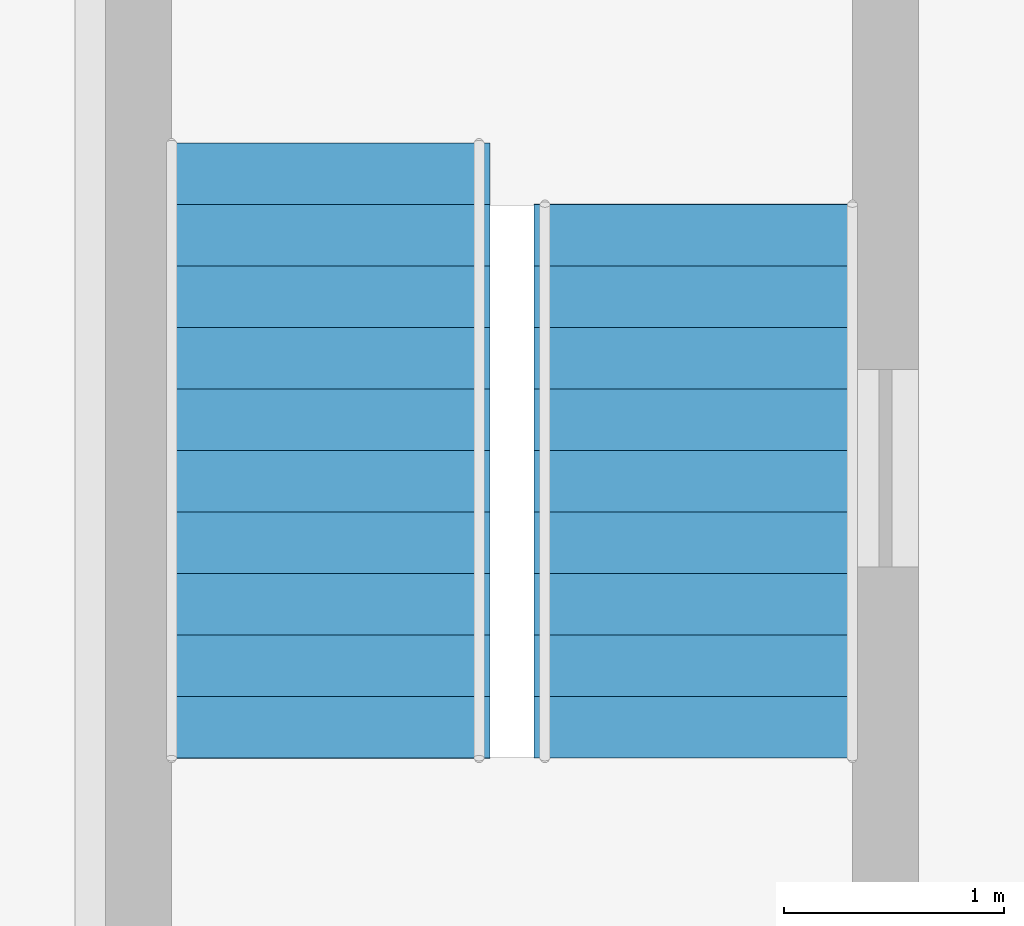
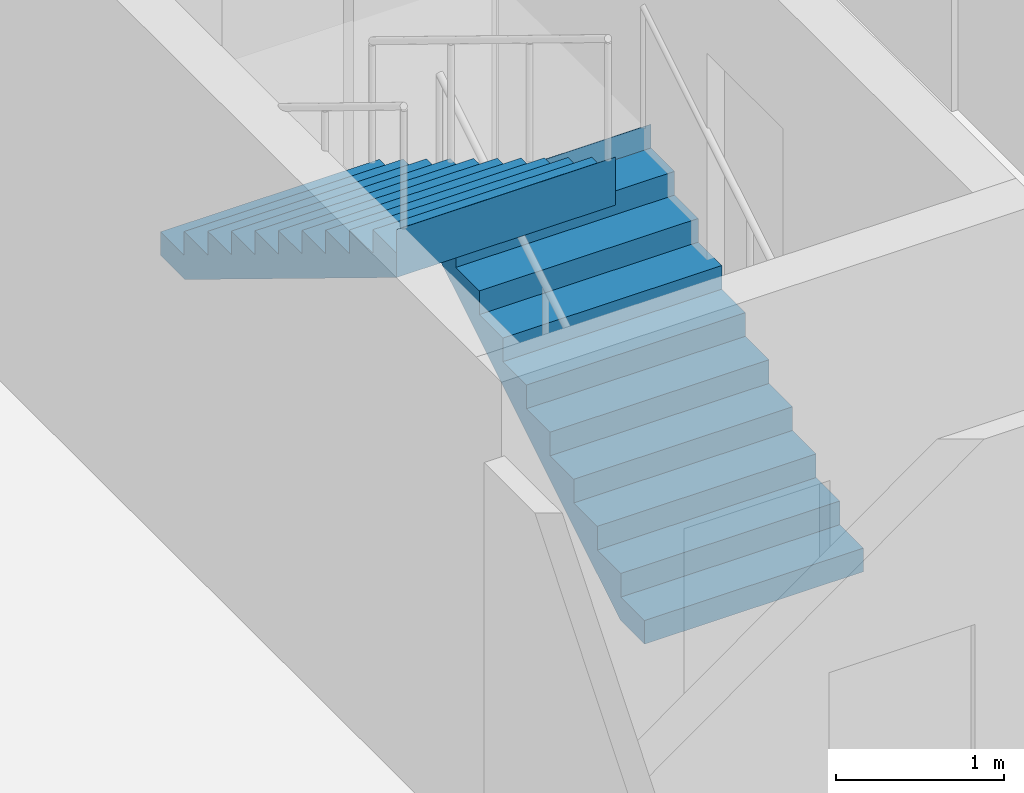
# One storey, part 108 of 142: 2 stair flights, 1 element without a shape of its own.
"""IFC4 building model written with IfcOpenShell, lengths in metres."""

import ifcopenshell
import ifcopenshell.guid

model = None  # the IFC model being written
_history = None  # IfcOwnerHistory: only IFC2X3 demands one
_inside = {}  # id of a spatial element -> (the spatial element, [elements in it])
_under = {}  # id of a project, library or spatial element -> (it, [spatial elements below it])
_declared = {}  # id of a project -> (the project, [libraries it declares])
_typed = {}  # id of a type object -> (the type object, [elements of that type])
_made_of = {}  # id of a material, layer set ... -> (it, [elements and type objects made of it])


def new_model(schema):
    """Start an empty IFC model of exactly this schema.

    Asked for "IFC4X3", IfcOpenShell would pick the latest addendum, in which some entities
    have other attributes; the version numbers below select the first issue.
    IFC2X3 requires an IfcOwnerHistory on every rooted entity: one is made here for all.
    """
    global model, _history
    if schema == "IFC4X3":
        model = ifcopenshell.file(schema_version=(4, 3, 0, 0))
    else:
        model = ifcopenshell.file(schema=schema)
    _inside.clear()
    _under.clear()
    _declared.clear()
    _typed.clear()
    _made_of.clear()
    _history = None
    if model.schema == "IFC2X3":
        org = make("IfcOrganization", Name="unknown")
        user = make(
            "IfcPersonAndOrganization",
            ThePerson=make("IfcPerson", FamilyName="unknown"),
            TheOrganization=org,
        )
        app = make(
            "IfcApplication",
            ApplicationDeveloper=org,
            Version="unknown",
            ApplicationFullName="unknown",
            ApplicationIdentifier="unknown",
        )
        _history = make(
            "IfcOwnerHistory",
            OwningUser=user,
            OwningApplication=app,
            ChangeAction="ADDED",
            CreationDate=0,
        )
    return model


def make(cls, **values):
    """One entity of the class cls with the attributes given. An attribute that is None is left unset."""
    return model.create_entity(
        cls, **{name: value for name, value in values.items() if value is not None}
    )


def rooted(cls, **values):
    """An entity with a GlobalId (a new one), such as an element, a storey or a relation."""
    return make(cls, GlobalId=ifcopenshell.guid.new(), OwnerHistory=_history, **values)


def si_unit(unit_type, name, prefix=None):
    """IfcSIUnit, for example si_unit("LENGTHUNIT", "METRE", prefix="MILLI")."""
    return make("IfcSIUnit", UnitType=unit_type, Prefix=prefix, Name=name)


def assignment(units):
    """IfcUnitAssignment: the units of a project."""
    return None if units is None else make("IfcUnitAssignment", Units=units)


def point(xyz):
    """IfcCartesianPoint."""
    return None if xyz is None else make("IfcCartesianPoint", Coordinates=xyz)


def direction(xyz):
    """IfcDirection."""
    return None if xyz is None else make("IfcDirection", DirectionRatios=xyz)


def frame(location, z_axis=None, x_axis=None):
    """IfcAxis2Placement3D, a coordinate frame: its origin and axes. An axis left out is left unset."""
    return make(
        "IfcAxis2Placement3D",
        Location=point(location),
        Axis=direction(z_axis),
        RefDirection=direction(x_axis),
    )


def origin():
    """The frame at (0, 0, 0) with its axes left unset."""
    return frame((0.0, 0.0, 0.0))


def place(relative_to, where):
    """IfcLocalPlacement: puts the frame where relative to a parent placement (None: the world)."""
    return make(
        "IfcLocalPlacement", PlacementRelTo=relative_to, RelativePlacement=where
    )


def context(
    kind, dimensions, precision=None, world=None, true_north=None, identifier=None
):
    """IfcGeometricRepresentationContext, for example the 3D "Model" context."""
    return make(
        "IfcGeometricRepresentationContext",
        ContextIdentifier=identifier,
        ContextType=kind,
        CoordinateSpaceDimension=dimensions,
        Precision=precision,
        WorldCoordinateSystem=world,
        TrueNorth=true_north,
    )


def subcontext(parent, identifier, kind, view, scale=None):
    """IfcGeometricRepresentationSubContext, for example "Body" below "Model"."""
    return make(
        "IfcGeometricRepresentationSubContext",
        ContextIdentifier=identifier,
        ContextType=kind,
        ParentContext=parent,
        TargetScale=scale,
        TargetView=view,
    )


def project(units=None, contexts=None):
    """IfcProject with its units and contexts."""
    return rooted(
        "IfcProject",
        Name="project",
        RepresentationContexts=contexts,
        UnitsInContext=assignment(units),
    )


def spatial(cls, under=None, at=None, **own):
    """A site, building, storey or space (cls), placed at a placement, below another one or the project."""
    s = rooted(cls, ObjectPlacement=at, **own)
    if under is not None:
        _under.setdefault(under.id(), (under, []))[1].append(s)
    return s


def polyline(points):
    """IfcPolyline through the points."""
    return make("IfcPolyline", Points=[point(p) for p in points])


def outline(outer, holes=None, kind="AREA"):
    """IfcArbitraryClosedProfileDef: a profile drawn as a closed curve; with holes, ...WithVoids."""
    if holes is None:
        return make("IfcArbitraryClosedProfileDef", ProfileType=kind, OuterCurve=outer)
    return make(
        "IfcArbitraryProfileDefWithVoids",
        ProfileType=kind,
        OuterCurve=outer,
        InnerCurves=holes,
    )


def extrude(swept, where, along, depth):
    """IfcExtrudedAreaSolid: the profile swept, set in the frame where, extruded along a direction by depth."""
    return make(
        "IfcExtrudedAreaSolid",
        SweptArea=swept,
        Position=where,
        ExtrudedDirection=direction(along),
        Depth=depth,
    )


def shape(context_of_items, identifier, shape_type, items):
    """IfcShapeRepresentation: the items that make up one representation, for example the "Body"."""
    return make(
        "IfcShapeRepresentation",
        ContextOfItems=context_of_items,
        RepresentationIdentifier=identifier,
        RepresentationType=shape_type,
        Items=items,
    )


def material(Name=None, Category=None):
    """IfcMaterial."""
    return make("IfcMaterial", Name=Name, Category=Category)


def made_of(thing, what):
    """Note that an element or type object is made of a material, layer set ...; save() writes the relation."""
    if what is not None:
        _made_of.setdefault(what.id(), (what, []))[1].append(thing)
    return thing


def type_object(cls, material=None, **own):
    """A type object (cls), such as IfcWallType, which elements share."""
    return made_of(rooted(cls, **own), material)


def element(
    cls,
    number,
    at=None,
    inside=None,
    cuts=None,
    type_object=None,
    material=None,
    context=None,
    identifier="Body",
    shape_type=None,
    held_by="IfcProductDefinitionShape",
    body=None,
    shapes=None,
    **own,
):
    """One element of the class cls, such as IfcWall. Its Tag is "e" and its number.

    at: its placement. inside: the storey or other place that contains it. cuts: it is an
    opening in that element (IfcRelVoidsElement). A single representation is given by context,
    identifier, shape_type and body (its items); several are given by shapes. held_by: the class
    of the entity that holds the representations. save() writes the other relations.
    """
    e = rooted(cls, Tag="e%d" % number, ObjectPlacement=at, **own)
    if body is not None:
        shapes = [shape(context, identifier, shape_type, body)]
    if shapes is not None:
        e.Representation = make(held_by, Representations=shapes)
    if inside is not None:
        _inside.setdefault(inside.id(), (inside, []))[1].append(e)
    if cuts is not None:
        rooted(
            "IfcRelVoidsElement", RelatingBuildingElement=cuts, RelatedOpeningElement=e
        )
    if type_object is not None:
        _typed.setdefault(type_object.id(), (type_object, []))[1].append(e)
    return made_of(e, material)


def aggregate(whole, parts):
    """IfcRelAggregates: a whole, such as a stair, and the parts it consists of."""
    return rooted("IfcRelAggregates", RelatingObject=whole, RelatedObjects=parts)


def save(model, path):
    """Write the relations noted so far, then the file.

    IfcRelAggregates (storeys below a building ...), IfcRelContainedInSpatialStructure (elements
    in a storey), IfcRelDefinesByType, IfcRelAssociatesMaterial and IfcRelDeclares: one each for
    every whole, place, type object, material and project.
    """
    for whole, parts in _under.values():
        aggregate(whole, parts)
    for where, things in _inside.values():
        rooted(
            "IfcRelContainedInSpatialStructure",
            RelatedElements=things,
            RelatingStructure=where,
        )
    for kind, things in _typed.values():
        rooted("IfcRelDefinesByType", RelatedObjects=things, RelatingType=kind)
    for what, things in _made_of.values():
        rooted("IfcRelAssociatesMaterial", RelatedObjects=things, RelatingMaterial=what)
    for by, libraries in _declared.values():
        rooted("IfcRelDeclares", RelatingContext=by, RelatedDefinitions=libraries)
    model.write(path)


model = new_model("IFC4")

# Units and contexts
model_context = context("Model", 3, precision=1e-05, world=origin(), true_north=direction((0.0, 1.0)))
body_context = subcontext(model_context, "Body", "Model", "MODEL_VIEW")
ifc_project = project(units=[si_unit("LENGTHUNIT", "METRE"), si_unit("AREAUNIT", "SQUARE_METRE"), si_unit("VOLUMEUNIT", "CUBIC_METRE"), si_unit("PLANEANGLEUNIT", "RADIAN"), si_unit("MASSUNIT", "GRAM", prefix="KILO")], contexts=[model_context])

# Site, building, storey
site_placement = place(None, origin())
site = spatial("IfcSite", under=ifc_project, at=site_placement, CompositionType="ELEMENT")
building_placement = place(site_placement, origin())
building = spatial("IfcBuilding", under=site, at=building_placement, Name="Kupolbacken Congress Centre", CompositionType="ELEMENT")
storey_placement = place(building_placement, frame((0.0, 0.0, 14.39990234375)))
storey = spatial("IfcBuildingStorey", under=building, at=storey_placement, Name="L04", CompositionType="ELEMENT", Elevation=14.39990234375)

# Stair, stair flights
ifc_material_1 = material(Name="Steel S355", Category="steel")
stair_type = type_object("IfcStairType", Name="ST2 stair 1500", PredefinedType="TWO_STRAIGHT_RUN_STAIR", material=ifc_material_1)
stair_placement = place(storey_placement, origin())
stair = element("IfcStair", 1, at=stair_placement, inside=storey, type_object=stair_type, Name="C/stair/TS4/L04", PredefinedType="NOTDEFINED")
ifc_material_2 = material(Name="Steel S355", Category="steel")
stair_flight_type_1 = type_object("IfcStairFlightType", Name="FL3 stair flight 1500 x 10 risers", PredefinedType="STRAIGHT", material=ifc_material_2)
stair_flight_1_placement = place(storey_placement, frame((135.949951171875, 139.530029296875, 0.0), z_axis=(0.0, 0.0, 1.0), x_axis=(0.0, 1.0, 0.0)))
stair_flight_1 = element("IfcStairFlight", 2, at=stair_flight_1_placement, type_object=stair_flight_type_1, Name="TS4 flight 1", NumberOfRisers=10, NumberOfTreads=9, PredefinedType="STRAIGHT", RiserHeight=0.171428571, TreadLength=0.28, context=body_context, shape_type="SweptSolid", body=[
    extrude(outline(polyline([(0.0, 0.0), (0.0, 0.0009765625), (0.0, 0.002197265625), (0.0, 0.003173828125), (0.0, 0.004150390625), (0.0, 0.00537109375), (0.0, 0.00634765625), (0.0, 0.007568359375), (0.0, 0.008544921875), (0.0, 0.009521484375), (0.0, 0.0107421875), (0.0, 0.01171875), (0.0, 0.0126953125), (0.0, 0.013916015625), (0.0, 0.014892578125), (0.0, 0.015869140625), (0.0, 0.01708984375), (0.0, 0.01806640625), (0.0, 0.019287109375), (0.0, 0.020263671875), (0.0, 0.021240234375), (0.0, 0.0224609375), (0.0, 0.0234375), (0.0, 0.0244140625), (0.0, 0.025634765625), (0.0, 0.026611328125), (0.0, 0.027587890625), (0.0, 0.02880859375), (0.0, 0.02978515625), (0.0, 0.03076171875), (0.0, 0.031982421875), (0.0, 0.032958984375), (0.0, 0.0341796875), (0.0, 0.03515625), (0.0, 0.0361328125), (0.0, 0.037353515625), (0.0, 0.038330078125), (0.0, 0.039306640625), (0.0, 0.04052734375), (0.0, 0.04150390625), (0.0, 0.04248046875), (0.0, 0.043701171875), (0.0, 0.044677734375), (0.0, 0.0458984375), (0.0, 0.046875), (0.0, 0.0478515625), (0.0, 0.049072265625), (0.0, 0.050048828125), (0.0, 0.051025390625), (0.0, 0.05224609375), (0.0, 0.05322265625), (0.0, 0.05419921875), (0.0, 0.055419921875), (0.0, 0.056396484375), (0.0, 0.0576171875), (0.0, 0.05859375), (0.0, 0.0595703125), (0.0, 0.060791015625), (0.0, 0.061767578125), (0.0, 0.062744140625), (0.0, 0.06396484375), (0.0, 0.06494140625), (0.0, 0.06591796875), (0.0, 0.067138671875), (0.0, 0.068115234375), (0.0, 0.069091796875), (0.0, 0.0703125), (0.0, 0.0712890625), (0.0, 0.072509765625), (0.0, 0.073486328125), (0.0, 0.074462890625), (0.0, 0.07568359375), (0.0, 0.07666015625), (0.0, 0.07763671875), (0.0, 0.078857421875), (0.0, 0.079833984375), (0.0, 0.080810546875), (0.0, 0.08203125), (0.0, 0.0830078125), (0.0, 0.084228515625), (0.0, 0.085205078125), (0.0, 0.086181640625), (0.0, 0.08740234375), (0.0, 0.08837890625), (0.0, 0.08935546875), (0.0, 0.090576171875), (0.0, 0.091552734375), (0.0, 0.092529296875), (0.0, 0.09375), (0.0, 0.0947265625), (0.0, 0.095947265625), (0.0, 0.096923828125), (0.0, 0.097900390625), (0.0, 0.09912109375), (0.0, 0.10009765625), (0.0, 0.10107421875), (0.0, 0.102294921875), (0.0, 0.103271484375), (0.0, 0.104248046875), (0.0, 0.10546875), (0.0, 0.1064453125), (0.0, 0.107421875), (0.0, 0.108642578125), (0.0, 0.109619140625), (0.0, 0.11083984375), (0.0, 0.11181640625), (0.0, 0.11279296875), (0.0, 0.114013671875), (0.0, 0.114990234375), (0.0, 0.115966796875), (0.0, 0.1171875), (0.0, 0.1181640625), (0.0, 0.119140625), (0.0, 0.120361328125), (0.0, 0.121337890625), (0.0, 0.12255859375), (0.0, 0.12353515625), (0.0, 0.12451171875), (0.0, 0.125732421875), (0.0, 0.126708984375), (0.0, 0.127685546875), (0.0, 0.12890625), (0.0, 0.1298828125), (0.0, 0.130859375), (0.0, 0.132080078125), (0.0, 0.133056640625), (0.0, 0.13427734375), (0.0, 0.13525390625), (0.0, 0.13623046875), (0.0, 0.137451171875), (0.0, 0.138427734375), (0.0, 0.139404296875), (0.0, 0.140625), (0.0, 0.1416015625), (0.0, 0.142578125), (0.0, 0.143798828125), (0.0, 0.144775390625), (0.0, 0.145751953125), (0.0, 0.14697265625), (0.0, 0.14794921875), (0.0, 0.149169921875), (0.0, 0.150146484375), (0.0, 0.151123046875), (0.0, 0.15234375), (0.0, 0.1533203125), (0.0, 0.154296875), (0.0, 0.155517578125), (0.0, 0.156494140625), (0.0, 0.157470703125), (0.0, 0.15869140625), (0.0, 0.15966796875), (0.0, 0.160888671875), (0.0, 0.161865234375), (0.0, 0.162841796875), (0.0, 0.1640625), (0.0, 0.1650390625), (0.0, 0.166015625), (0.0, 0.167236328125), (0.0, 0.168212890625), (0.0, 0.169189453125), (0.0, 0.17041015625), (0.0, 0.17138671875), (0.280029296875, 0.17138671875), (0.280029296875, 0.3427734375), (0.56005859375, 0.3427734375), (0.56005859375, 0.514404296875), (0.840087890625, 0.514404296875), (0.840087890625, 0.685791015625), (1.1201171875, 0.685791015625), (1.1201171875, 0.857177734375), (1.39990234375, 0.857177734375), (1.39990234375, 1.028564453125), (1.679931640625, 1.028564453125), (1.679931640625, 1.199951171875), (1.9599609375, 1.199951171875), (1.9599609375, 1.371337890625), (2.239990234375, 1.371337890625), (2.239990234375, 1.54296875), (2.52001953125, 1.54296875), (2.52001953125, 1.71435546875), (2.52197265625, 1.71435546875), (2.52197265625, 1.712158203125), (2.52197265625, 1.7099609375), (2.52197265625, 1.707763671875), (2.52197265625, 1.70556640625), (2.52197265625, 1.70361328125), (2.52197265625, 1.701416015625), (2.52197265625, 1.69921875), (2.52197265625, 1.697021484375), (2.52197265625, 1.69482421875), (2.52197265625, 1.692626953125), (2.52197265625, 1.690673828125), (2.52197265625, 1.6884765625), (2.52197265625, 1.686279296875), (2.52197265625, 1.68408203125), (2.52197265625, 1.681884765625), (2.52197265625, 1.6796875), (2.52197265625, 1.677734375), (2.52197265625, 1.675537109375), (2.52197265625, 1.67333984375), (2.52197265625, 1.671142578125), (2.52197265625, 1.6689453125), (2.52197265625, 1.666748046875), (2.52197265625, 1.664794921875), (2.52197265625, 1.66259765625), (2.52197265625, 1.660400390625), (2.52197265625, 1.658203125), (2.52197265625, 1.656005859375), (2.52197265625, 1.65380859375), (2.52197265625, 1.65185546875), (2.52197265625, 1.649658203125), (2.52197265625, 1.6474609375), (2.52197265625, 1.645263671875), (2.52197265625, 1.64306640625), (2.52197265625, 1.640869140625), (2.52197265625, 1.638916015625), (2.52197265625, 1.63671875), (2.52197265625, 1.634521484375), (2.52197265625, 1.63232421875), (2.52197265625, 1.630126953125), (2.52197265625, 1.6279296875), (2.52197265625, 1.6259765625), (2.52197265625, 1.623779296875), (2.52197265625, 1.62158203125), (2.52197265625, 1.619384765625), (2.52197265625, 1.6171875), (2.52197265625, 1.614990234375), (2.52197265625, 1.613037109375), (2.52197265625, 1.61083984375), (2.52197265625, 1.608642578125), (2.52197265625, 1.6064453125), (2.52197265625, 1.604248046875), (2.52197265625, 1.60205078125), (2.52197265625, 1.60009765625), (2.52197265625, 1.597900390625), (2.52197265625, 1.595703125), (2.52197265625, 1.593505859375), (2.52197265625, 1.59130859375), (2.52197265625, 1.589111328125), (2.52197265625, 1.587158203125), (2.52197265625, 1.5849609375), (2.52197265625, 1.582763671875), (2.52197265625, 1.58056640625), (2.52197265625, 1.578369140625), (2.52197265625, 1.576171875), (2.52197265625, 1.57421875), (2.52197265625, 1.572021484375), (2.52197265625, 1.56982421875), (2.52197265625, 1.567626953125), (2.52197265625, 1.5654296875), (2.52197265625, 1.563232421875), (2.52197265625, 1.561279296875), (2.52197265625, 1.55908203125), (2.52197265625, 1.556884765625), (2.52197265625, 1.5546875), (2.52197265625, 1.552490234375), (2.52197265625, 1.55029296875), (2.52197265625, 1.54833984375), (2.52197265625, 1.546142578125), (2.52197265625, 1.5439453125), (2.52197265625, 1.541748046875), (2.52197265625, 1.53955078125), (2.52197265625, 1.537353515625), (2.52197265625, 1.535400390625), (2.52197265625, 1.533203125), (2.52197265625, 1.531005859375), (2.52197265625, 1.52880859375), (2.52197265625, 1.526611328125), (2.52197265625, 1.5244140625), (2.52197265625, 1.5224609375), (2.52197265625, 1.520263671875), (2.52197265625, 1.51806640625), (2.52197265625, 1.515869140625), (2.52197265625, 1.513671875), (2.52197265625, 1.511474609375), (2.52197265625, 1.509521484375), (2.52197265625, 1.50732421875), (2.52197265625, 1.505126953125), (2.52197265625, 1.5029296875), (2.52197265625, 1.500732421875), (2.52197265625, 1.49853515625), (2.52197265625, 1.49658203125), (2.52197265625, 1.494384765625), (2.52197265625, 1.4921875), (2.52197265625, 1.489990234375), (2.52197265625, 1.48779296875), (2.52197265625, 1.485595703125), (2.52197265625, 1.483642578125), (2.52197265625, 1.4814453125), (2.52197265625, 1.479248046875), (2.52197265625, 1.47705078125), (2.52197265625, 1.474853515625), (2.52197265625, 1.47265625), (2.52197265625, 1.470703125), (2.52197265625, 1.468505859375), (2.52197265625, 1.46630859375), (2.52197265625, 1.464111328125), (2.52197265625, 1.4619140625), (2.52197265625, 1.459716796875), (2.52197265625, 1.457763671875), (2.52197265625, 1.45556640625), (2.52197265625, 1.453369140625), (2.52197265625, 1.451171875), (2.52197265625, 1.448974609375), (2.52197265625, 1.44677734375), (2.52197265625, 1.44482421875), (2.52197265625, 1.442626953125), (2.52197265625, 1.4404296875), (2.52197265625, 1.438232421875), (2.52197265625, 1.43603515625), (2.52197265625, 1.433837890625), (2.52197265625, 1.431884765625), (2.52197265625, 1.4296875), (2.52197265625, 1.427490234375), (2.52197265625, 1.42529296875), (2.52197265625, 1.423095703125), (2.52197265625, 1.4208984375), (2.52197265625, 1.4189453125), (2.52197265625, 1.416748046875), (2.52197265625, 1.41455078125), (2.52197265625, 1.412353515625), (2.52197265625, 1.41015625), (2.52197265625, 1.407958984375), (2.52197265625, 1.406005859375), (2.52197265625, 1.40380859375), (2.52197265625, 1.401611328125), (2.52197265625, 1.3994140625), (2.52197265625, 1.397216796875), (2.52197265625, 1.39501953125), (2.52197265625, 1.39306640625), (2.52197265625, 1.390869140625), (2.52197265625, 1.388671875), (2.52197265625, 1.386474609375), (2.52197265625, 1.38427734375), (2.52197265625, 1.382080078125), (2.52197265625, 1.380126953125), (2.52197265625, 1.3779296875), (2.52197265625, 1.375732421875), (2.52197265625, 1.37353515625), (2.52197265625, 1.371337890625), (2.52197265625, 1.369140625), (2.52197265625, 1.3671875), (0.2890625, 0.0), (0.0, 0.0)])), frame((0.0, 0.75, 0.0), z_axis=(0.0, -1.0, 0.0), x_axis=(1.0, 0.0, 0.0)), (0.0, 0.0, 1.0), 1.5),
])
ifc_material_3 = material(Name="Steel S355", Category="steel")
stair_flight_type_2 = type_object("IfcStairFlightType", Name="FL4 stair flight 1500 x 11 risers", PredefinedType="STRAIGHT", material=ifc_material_3)
stair_flight_2_placement = place(storey_placement, frame((134.25, 142.330078125, 1.71435546875), z_axis=(0.0, 0.0, 1.0), x_axis=(0.0, -1.0, 0.0)))
stair_flight_2 = element("IfcStairFlight", 3, at=stair_flight_2_placement, type_object=stair_flight_type_2, Name="TS4 flight 2", NumberOfRisers=11, NumberOfTreads=10, PredefinedType="STRAIGHT", RiserHeight=0.171428571, TreadLength=0.28, context=body_context, shape_type="SweptSolid", body=[
    extrude(outline(polyline([(0.0, 0.0), (0.0, 0.0009765625), (0.0, 0.002197265625), (0.0, 0.003173828125), (0.0, 0.004150390625), (0.0, 0.00537109375), (0.0, 0.00634765625), (0.0, 0.007568359375), (0.0, 0.008544921875), (0.0, 0.009521484375), (0.0, 0.0107421875), (0.0, 0.01171875), (0.0, 0.0126953125), (0.0, 0.013916015625), (0.0, 0.014892578125), (0.0, 0.015869140625), (0.0, 0.01708984375), (0.0, 0.01806640625), (0.0, 0.019287109375), (0.0, 0.020263671875), (0.0, 0.021240234375), (0.0, 0.0224609375), (0.0, 0.0234375), (0.0, 0.0244140625), (0.0, 0.025634765625), (0.0, 0.026611328125), (0.0, 0.027587890625), (0.0, 0.02880859375), (0.0, 0.02978515625), (0.0, 0.03076171875), (0.0, 0.031982421875), (0.0, 0.032958984375), (0.0, 0.0341796875), (0.0, 0.03515625), (0.0, 0.0361328125), (0.0, 0.037353515625), (0.0, 0.038330078125), (0.0, 0.039306640625), (0.0, 0.04052734375), (0.0, 0.04150390625), (0.0, 0.04248046875), (0.0, 0.043701171875), (0.0, 0.044677734375), (0.0, 0.0458984375), (0.0, 0.046875), (0.0, 0.0478515625), (0.0, 0.049072265625), (0.0, 0.050048828125), (0.0, 0.051025390625), (0.0, 0.05224609375), (0.0, 0.05322265625), (0.0, 0.05419921875), (0.0, 0.055419921875), (0.0, 0.056396484375), (0.0, 0.0576171875), (0.0, 0.05859375), (0.0, 0.0595703125), (0.0, 0.060791015625), (0.0, 0.061767578125), (0.0, 0.062744140625), (0.0, 0.06396484375), (0.0, 0.06494140625), (0.0, 0.06591796875), (0.0, 0.067138671875), (0.0, 0.068115234375), (0.0, 0.069091796875), (0.0, 0.0703125), (0.0, 0.0712890625), (0.0, 0.072509765625), (0.0, 0.073486328125), (0.0, 0.074462890625), (0.0, 0.07568359375), (0.0, 0.07666015625), (0.0, 0.07763671875), (0.0, 0.078857421875), (0.0, 0.079833984375), (0.0, 0.080810546875), (0.0, 0.08203125), (0.0, 0.0830078125), (0.0, 0.084228515625), (0.0, 0.085205078125), (0.0, 0.086181640625), (0.0, 0.08740234375), (0.0, 0.08837890625), (0.0, 0.08935546875), (0.0, 0.090576171875), (0.0, 0.091552734375), (0.0, 0.092529296875), (0.0, 0.09375), (0.0, 0.0947265625), (0.0, 0.095947265625), (0.0, 0.096923828125), (0.0, 0.097900390625), (0.0, 0.09912109375), (0.0, 0.10009765625), (0.0, 0.10107421875), (0.0, 0.102294921875), (0.0, 0.103271484375), (0.0, 0.104248046875), (0.0, 0.10546875), (0.0, 0.1064453125), (0.0, 0.107421875), (0.0, 0.108642578125), (0.0, 0.109619140625), (0.0, 0.11083984375), (0.0, 0.11181640625), (0.0, 0.11279296875), (0.0, 0.114013671875), (0.0, 0.114990234375), (0.0, 0.115966796875), (0.0, 0.1171875), (0.0, 0.1181640625), (0.0, 0.119140625), (0.0, 0.120361328125), (0.0, 0.121337890625), (0.0, 0.12255859375), (0.0, 0.12353515625), (0.0, 0.12451171875), (0.0, 0.125732421875), (0.0, 0.126708984375), (0.0, 0.127685546875), (0.0, 0.12890625), (0.0, 0.1298828125), (0.0, 0.130859375), (0.0, 0.132080078125), (0.0, 0.133056640625), (0.0, 0.13427734375), (0.0, 0.13525390625), (0.0, 0.13623046875), (0.0, 0.137451171875), (0.0, 0.138427734375), (0.0, 0.139404296875), (0.0, 0.140625), (0.0, 0.1416015625), (0.0, 0.142578125), (0.0, 0.143798828125), (0.0, 0.144775390625), (0.0, 0.145751953125), (0.0, 0.14697265625), (0.0, 0.14794921875), (0.0, 0.149169921875), (0.0, 0.150146484375), (0.0, 0.151123046875), (0.0, 0.15234375), (0.0, 0.1533203125), (0.0, 0.154296875), (0.0, 0.155517578125), (0.0, 0.156494140625), (0.0, 0.157470703125), (0.0, 0.15869140625), (0.0, 0.15966796875), (0.0, 0.160888671875), (0.0, 0.161865234375), (0.0, 0.162841796875), (0.0, 0.1640625), (0.0, 0.1650390625), (0.0, 0.166015625), (0.0, 0.167236328125), (0.0, 0.168212890625), (0.0, 0.169189453125), (0.0, 0.17041015625), (0.0, 0.17138671875), (0.280029296875, 0.17138671875), (0.280029296875, 0.3427734375), (0.56005859375, 0.3427734375), (0.56005859375, 0.514404296875), (0.840087890625, 0.514404296875), (0.840087890625, 0.685791015625), (1.1201171875, 0.685791015625), (1.1201171875, 0.857177734375), (1.39990234375, 0.857177734375), (1.39990234375, 1.028564453125), (1.679931640625, 1.028564453125), (1.679931640625, 1.199951171875), (1.9599609375, 1.199951171875), (1.9599609375, 1.371337890625), (2.239990234375, 1.371337890625), (2.239990234375, 1.54296875), (2.52001953125, 1.54296875), (2.52001953125, 1.71435546875), (2.800048828125, 1.71435546875), (2.800048828125, 1.8857421875), (2.802001953125, 1.8857421875), (2.802001953125, 1.883544921875), (2.802001953125, 1.88134765625), (2.802001953125, 1.879150390625), (2.802001953125, 1.877197265625), (2.802001953125, 1.875), (2.802001953125, 1.872802734375), (2.802001953125, 1.87060546875), (2.802001953125, 1.868408203125), (2.802001953125, 1.8662109375), (2.802001953125, 1.8642578125), (2.802001953125, 1.862060546875), (2.802001953125, 1.85986328125), (2.802001953125, 1.857666015625), (2.802001953125, 1.85546875), (2.802001953125, 1.853271484375), (2.802001953125, 1.851318359375), (2.802001953125, 1.84912109375), (2.802001953125, 1.846923828125), (2.802001953125, 1.8447265625), (2.802001953125, 1.842529296875), (2.802001953125, 1.84033203125), (2.802001953125, 1.83837890625), (2.802001953125, 1.836181640625), (2.802001953125, 1.833984375), (2.802001953125, 1.831787109375), (2.802001953125, 1.82958984375), (2.802001953125, 1.827392578125), (2.802001953125, 1.825439453125), (2.802001953125, 1.8232421875), (2.802001953125, 1.821044921875), (2.802001953125, 1.81884765625), (2.802001953125, 1.816650390625), (2.802001953125, 1.814453125), (2.802001953125, 1.8125), (2.802001953125, 1.810302734375), (2.802001953125, 1.80810546875), (2.802001953125, 1.805908203125), (2.802001953125, 1.8037109375), (2.802001953125, 1.801513671875), (2.802001953125, 1.799560546875), (2.802001953125, 1.79736328125), (2.802001953125, 1.795166015625), (2.802001953125, 1.79296875), (2.802001953125, 1.790771484375), (2.802001953125, 1.78857421875), (2.802001953125, 1.78662109375), (2.802001953125, 1.784423828125), (2.802001953125, 1.7822265625), (2.802001953125, 1.780029296875), (2.802001953125, 1.77783203125), (2.802001953125, 1.775634765625), (2.802001953125, 1.773681640625), (2.802001953125, 1.771484375), (2.802001953125, 1.769287109375), (2.802001953125, 1.76708984375), (2.802001953125, 1.764892578125), (2.802001953125, 1.7626953125), (2.802001953125, 1.7607421875), (2.802001953125, 1.758544921875), (2.802001953125, 1.75634765625), (2.802001953125, 1.754150390625), (2.802001953125, 1.751953125), (2.802001953125, 1.749755859375), (2.802001953125, 1.747802734375), (2.802001953125, 1.74560546875), (2.802001953125, 1.743408203125), (2.802001953125, 1.7412109375), (2.802001953125, 1.739013671875), (2.802001953125, 1.73681640625), (2.802001953125, 1.73486328125), (2.802001953125, 1.732666015625), (2.802001953125, 1.73046875), (2.802001953125, 1.728271484375), (2.802001953125, 1.72607421875), (2.802001953125, 1.723876953125), (2.802001953125, 1.721923828125), (2.802001953125, 1.7197265625), (2.802001953125, 1.717529296875), (2.802001953125, 1.71533203125), (2.802001953125, 1.713134765625), (2.802001953125, 1.7109375), (2.802001953125, 1.708984375), (2.802001953125, 1.706787109375), (2.802001953125, 1.70458984375), (2.802001953125, 1.702392578125), (2.802001953125, 1.7001953125), (2.802001953125, 1.697998046875), (2.802001953125, 1.696044921875), (2.802001953125, 1.69384765625), (2.802001953125, 1.691650390625), (2.802001953125, 1.689453125), (2.802001953125, 1.687255859375), (2.802001953125, 1.68505859375), (2.802001953125, 1.68310546875), (2.802001953125, 1.680908203125), (2.802001953125, 1.6787109375), (2.802001953125, 1.676513671875), (2.802001953125, 1.67431640625), (2.802001953125, 1.672119140625), (2.802001953125, 1.670166015625), (2.802001953125, 1.66796875), (2.802001953125, 1.665771484375), (2.802001953125, 1.66357421875), (2.802001953125, 1.661376953125), (2.802001953125, 1.6591796875), (2.802001953125, 1.6572265625), (2.802001953125, 1.655029296875), (2.802001953125, 1.65283203125), (2.802001953125, 1.650634765625), (2.802001953125, 1.6484375), (2.802001953125, 1.646240234375), (2.802001953125, 1.644287109375), (2.802001953125, 1.64208984375), (2.802001953125, 1.639892578125), (2.802001953125, 1.6376953125), (2.802001953125, 1.635498046875), (2.802001953125, 1.63330078125), (2.802001953125, 1.63134765625), (2.802001953125, 1.629150390625), (2.802001953125, 1.626953125), (2.802001953125, 1.624755859375), (2.802001953125, 1.62255859375), (2.802001953125, 1.620361328125), (2.802001953125, 1.618408203125), (2.802001953125, 1.6162109375), (2.802001953125, 1.614013671875), (2.802001953125, 1.61181640625), (2.802001953125, 1.609619140625), (2.802001953125, 1.607421875), (2.802001953125, 1.60546875), (2.802001953125, 1.603271484375), (2.802001953125, 1.60107421875), (2.802001953125, 1.598876953125), (2.802001953125, 1.5966796875), (2.802001953125, 1.594482421875), (2.802001953125, 1.592529296875), (2.802001953125, 1.59033203125), (2.802001953125, 1.588134765625), (2.802001953125, 1.5859375), (2.802001953125, 1.583740234375), (2.802001953125, 1.58154296875), (2.802001953125, 1.57958984375), (2.802001953125, 1.577392578125), (2.802001953125, 1.5751953125), (2.802001953125, 1.572998046875), (2.802001953125, 1.57080078125), (2.802001953125, 1.568603515625), (2.802001953125, 1.566650390625), (2.802001953125, 1.564453125), (2.802001953125, 1.562255859375), (2.802001953125, 1.56005859375), (2.802001953125, 1.557861328125), (2.802001953125, 1.5556640625), (2.802001953125, 1.5537109375), (2.802001953125, 1.551513671875), (2.802001953125, 1.54931640625), (2.802001953125, 1.547119140625), (2.802001953125, 1.544921875), (2.802001953125, 1.542724609375), (2.802001953125, 1.540771484375), (2.802001953125, 1.53857421875), (0.2890625, 0.0), (0.0, 0.0)])), frame((0.0, 0.75, 0.0), z_axis=(0.0, -1.0, 0.0), x_axis=(1.0, 0.0, 0.0)), (0.0, 0.0, 1.0), 1.5),
])
aggregate(stair, [stair_flight_1, stair_flight_2])

save(model, "model.ifc")
